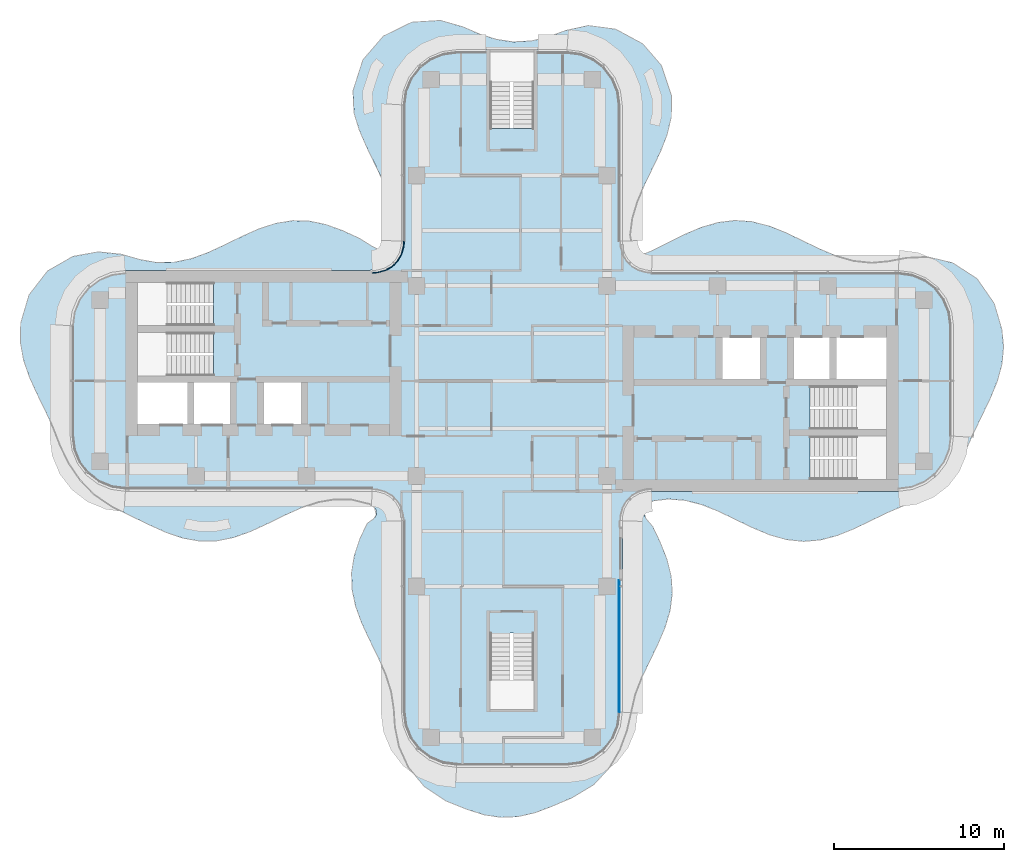
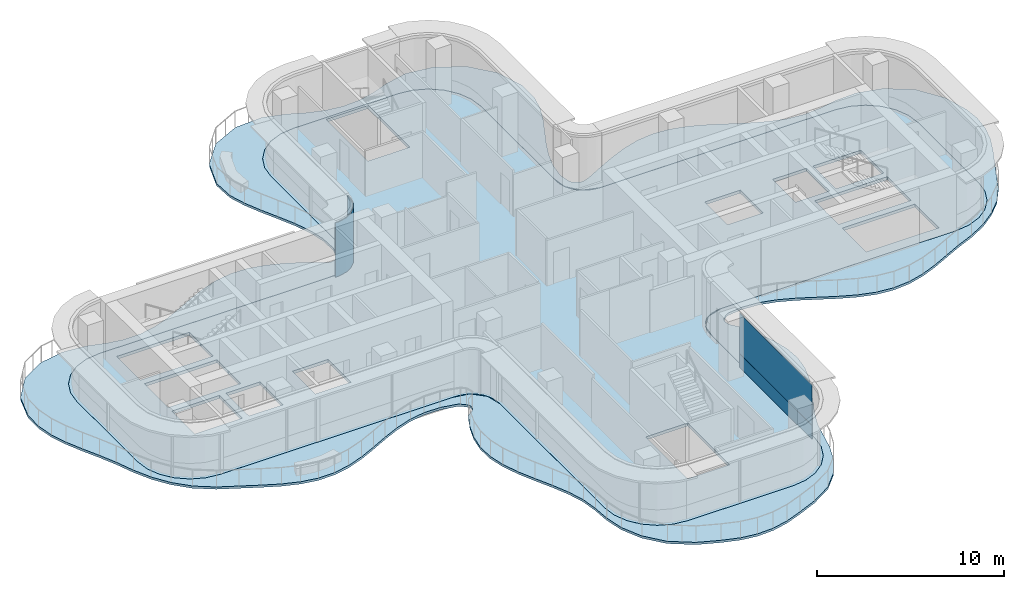
# One storey, part 9 of 16: 3 plates, 2 slabs, 2 elements without a shape of their own.
"""IFC4 building model written with IfcOpenShell, lengths in metres."""

from ifc_helpers import new_model, si_unit, direction, frame, origin, place, context, subcontext, project, spatial, polyline, outline, extrude, source, transform, mapped, material, layer, layer_set, type_object, element, aggregate, save


model = new_model("IFC4")

# Units and contexts
model_context = context("Model", 3, precision=1e-05, world=origin(), true_north=direction((0.0, 1.0)))
body_context = subcontext(model_context, "Body", "Model", "MODEL_VIEW")
ifc_project = project(units=[si_unit("LENGTHUNIT", "METRE"), si_unit("AREAUNIT", "SQUARE_METRE"), si_unit("VOLUMEUNIT", "CUBIC_METRE"), si_unit("PLANEANGLEUNIT", "RADIAN"), si_unit("MASSUNIT", "GRAM", prefix="KILO")], contexts=[model_context])

# Site, building, storey
site_placement = place(None, origin())
site = spatial("IfcSite", under=ifc_project, at=site_placement, CompositionType="ELEMENT")
building_placement = place(site_placement, origin())
building = spatial("IfcBuilding", under=site, at=building_placement, Name="Trellis Farm Tower", CompositionType="ELEMENT")
storey_placement = place(building_placement, frame((0.0, 0.0, 314.5)))
storey = spatial("IfcBuildingStorey", under=building, at=storey_placement, Name="L71", CompositionType="ELEMENT", Elevation=314.5)

# Slabs
ifc_material_1 = material(Name="Concrete C40/50", Category="concrete")
ifc_layer_1 = layer(ifc_material_1, 0.14990234375)
ifc_layer_set_1 = layer_set([ifc_layer_1], Name="Balcony slab 150")
slab_type_1 = type_object("IfcSlabType", Name="Balcony slab 150", PredefinedType="FLOOR", material=ifc_layer_set_1)
slab_1_placement = place(storey_placement, frame((0.0, 0.0, -0.14990234375)))
element("IfcSlab", 1, at=slab_1_placement, inside=storey, type_object=slab_type_1, Name="Balcony slab", PredefinedType="FLOOR", context=body_context, shape_type="SweptSolid", body=[
    extrude(outline(polyline([(-8.363525390625, -15.26708984375), (-8.826416015625, -14.27294921875), (-8.831298828125, -14.261474609375), (-9.193359375, -13.27587890625), (-9.199462890625, -13.25537109375), (-9.406982421875, -12.279296875), (-9.41015625, -12.251708984375), (-9.434814453125, -11.283203125), (-9.432861328125, -11.255126953125), (-9.2734375, -10.287841796875), (-9.26806640625, -10.265380859375), (-8.95458984375, -9.312255859375), (-8.94775390625, -9.295166015625), (-8.535888671875, -8.419189453125), (-8.51171875, -8.383056640625), (-8.4755859375, -8.3427734375), (-8.4423828125, -8.31494140625), (-8.16650390625, -8.14599609375), (-8.1484375, -8.130615234375), (-8.021728515625, -7.980224609375), (-8.009521484375, -7.959716796875), (-7.979248046875, -7.884033203125), (-7.97412109375, -7.861083984375), (-7.962646484375, -7.678955078125), (-7.97412109375, -7.635009765625), (-8.072998046875, -7.4814453125), (-8.088623046875, -7.464111328125), (-8.351318359375, -7.2509765625), (-8.366455078125, -7.241455078125), (-8.498779296875, -7.178466796875), (-8.51611328125, -7.1728515625), (-9.4375, -6.98583984375), (-9.451416015625, -6.984375), (-10.43359375, -6.97119140625), (-10.447265625, -6.97216796875), (-11.37158203125, -7.130126953125), (-11.382568359375, -7.1328125), (-12.412109375, -7.4755859375), (-12.419189453125, -7.478515625), (-13.38916015625, -7.913330078125), (-13.3916015625, -7.914306640625), (-14.392578125, -8.40673828125), (-14.396240234375, -8.408447265625), (-15.3896484375, -8.86474609375), (-15.402099609375, -8.869873046875), (-16.38671875, -9.219970703125), (-16.408203125, -9.2255859375), (-17.38330078125, -9.41748046875), (-17.4111328125, -9.420166015625), (-18.37939453125, -9.427978515625), (-18.406982421875, -9.425537109375), (-19.348876953125, -9.256591796875), (-19.37060546875, -9.251220703125), (-20.3544921875, -8.9169921875), (-20.367919921875, -8.91162109375), (-21.361083984375, -8.4638671875), (-21.36474609375, -8.4619140625), (-23.51220703125, -7.421630859375), (-23.53076171875, -7.410888671875), (-24.5703125, -6.709228515625), (-24.59423828125, -6.689208984375), (-25.425048828125, -5.82958984375), (-25.441162109375, -5.809814453125), (-26.07080078125, -4.884765625), (-26.08154296875, -4.8662109375), (-26.5830078125, -3.84228515625), (-26.588134765625, -3.830810546875), (-27.010009765625, -2.74462890625), (-27.01171875, -2.74072265625), (-27.462158203125, -1.751953125), (-27.463134765625, -1.75), (-27.95068359375, -0.75927734375), (-27.952880859375, -0.7548828125), (-28.396240234375, 0.222900390625), (-28.401611328125, 0.235595703125), (-28.73828125, 1.20947265625), (-28.743896484375, 1.2314453125), (-28.926025390625, 2.231201171875), (-28.928466796875, 2.260498046875), (-28.91064453125, 3.403076171875), (-28.904541015625, 3.44287109375), (-28.4482421875, 5.006103515625), (-28.437744140625, 5.0322265625), (-28.421142578125, 5.064697265625), (-28.406005859375, 5.08837890625), (-27.33203125, 6.472412109375), (-27.31201171875, 6.49365234375), (-27.28369140625, 6.518310546875), (-27.259033203125, 6.535400390625), (-25.876708984375, 7.317138671875), (-25.829833984375, 7.333984375), (-24.38427734375, 7.597412109375), (-24.341796875, 7.59912109375), (-23.0048828125, 7.4599609375), (-22.97900390625, 7.454833984375), (-21.91064453125, 7.14794921875), (-21.903076171875, 7.146240234375), (-20.931884765625, 6.97412109375), (-20.917724609375, 6.972900390625), (-19.871337890625, 6.989013671875), (-19.857421875, 6.990478515625), (-18.88134765625, 7.193115234375), (-18.87109375, 7.19580078125), (-17.921142578125, 7.538330078125), (-17.915283203125, 7.540771484375), (-16.91259765625, 8.002197265625), (-16.91064453125, 8.003173828125), (-15.9111328125, 8.49462890625), (-15.906005859375, 8.4970703125), (-14.9140625, 8.93896484375), (-14.89990234375, 8.9443359375), (-13.9169921875, 9.268798828125), (-13.894287109375, 9.2744140625), (-12.92041015625, 9.43359375), (-12.89208984375, 9.435546875), (-11.9248046875, 9.4091796875), (-11.897705078125, 9.406005859375), (-10.953369140625, 9.2060546875), (-10.93310546875, 9.2001953125), (-9.947509765625, 8.841064453125), (-9.935546875, 8.836181640625), (-8.95703125, 8.382080078125), (-8.9404296875, 8.373046875), (-8.19091796875, 7.90185546875), (-8.18359375, 7.89794921875), (-7.839599609375, 7.73046875), (-7.822509765625, 7.724609375), (-7.689453125, 7.69580078125), (-7.655029296875, 7.69677734375), (-7.523193359375, 7.7314453125), (-7.5068359375, 7.73779296875), (-7.31103515625, 7.843017578125), (-7.298095703125, 7.851806640625), (-7.20458984375, 7.930908203125), (-7.185791015625, 7.955322265625), (-7.1328125, 8.065673828125), (-7.12744140625, 8.080322265625), (-6.972900390625, 8.718994140625), (-6.97119140625, 8.72900390625), (-6.962646484375, 8.8125), (-6.96240234375, 8.822998046875), (-7.000244140625, 9.791015625), (-7.001953125, 9.80419921875), (-7.205810546875, 10.7333984375), (-7.208740234375, 10.743408203125), (-7.587890625, 11.7685546875), (-7.59033203125, 11.7744140625), (-8.050048828125, 12.757080078125), (-8.05078125, 12.758544921875), (-8.534912109375, 13.74462890625), (-8.53759765625, 13.75048828125), (-8.974365234375, 14.748291015625), (-8.980224609375, 14.763916015625), (-9.287841796875, 15.747802734375), (-9.29443359375, 15.7861328125), (-9.35107421875, 17.07470703125), (-9.349853515625, 17.101318359375), (-9.34521484375, 17.1357421875), (-9.33935546875, 17.161865234375), (-8.7958984375, 18.84423828125), (-8.78369140625, 18.87158203125), (-8.7646484375, 18.905517578125), (-8.747314453125, 18.93017578125), (-7.56298828125, 20.296142578125), (-7.54052734375, 20.317138671875), (-7.509033203125, 20.34130859375), (-7.48291015625, 20.357421875), (-5.915283203125, 21.1064453125), (-5.887939453125, 21.116455078125), (-5.8515625, 21.125732421875), (-5.82275390625, 21.130126953125), (-4.209228515625, 21.2216796875), (-4.15869140625, 21.216064453125), (-2.88916015625, 20.84619140625), (-2.87158203125, 20.839599609375), (-1.89501953125, 20.41650390625), (-1.8876953125, 20.413818359375), (-0.91064453125, 20.10693359375), (-0.899169921875, 20.104248046875), (0.077880859375, 19.961181640625), (0.09228515625, 19.960693359375), (1.138427734375, 20.012939453125), (1.152099609375, 20.014892578125), (2.12646484375, 20.246826171875), (2.135009765625, 20.24951171875), (3.147216796875, 20.62109375), (3.166259765625, 20.626708984375), (4.46728515625, 20.916259765625), (4.49365234375, 20.919677734375), (4.5283203125, 20.921142578125), (4.554931640625, 20.919921875), (6.1083984375, 20.706787109375), (6.13525390625, 20.70068359375), (6.169189453125, 20.689453125), (6.1943359375, 20.678466796875), (7.682373046875, 19.859619140625), (7.70458984375, 19.844482421875), (7.731689453125, 19.822509765625), (7.751220703125, 19.8037109375), (8.8037109375, 18.5751953125), (8.820556640625, 18.55126953125), (8.8388671875, 18.518798828125), (8.850830078125, 18.491455078125), (9.384521484375, 16.85009765625), (9.3916015625, 16.802978515625), (9.38720703125, 15.544921875), (9.383056640625, 15.510498046875), (9.143310546875, 14.509765625), (9.13720703125, 14.490234375), (8.7568359375, 13.51416015625), (8.752197265625, 13.50341796875), (7.802490234375, 11.53173828125), (7.801025390625, 11.528564453125), (7.3828125, 10.548095703125), (7.3798828125, 10.540283203125), (7.086181640625, 9.563720703125), (7.083740234375, 9.551513671875), (6.9599609375, 8.595703125), (6.959228515625, 8.58349609375), (6.962890625, 8.484130859375), (6.96435546875, 8.472412109375), (7.076416015625, 7.908203125), (7.081298828125, 7.892578125), (7.131591796875, 7.777099609375), (7.150390625, 7.75146484375), (7.244873046875, 7.66796875), (7.258056640625, 7.658447265625), (7.5224609375, 7.51123046875), (7.5380859375, 7.5048828125), (7.664306640625, 7.46826171875), (7.697509765625, 7.46630859375), (7.826904296875, 7.48876953125), (7.84326171875, 7.493408203125), (8.259765625, 7.6689453125), (8.264892578125, 7.67138671875), (9.17529296875, 8.138427734375), (9.177978515625, 8.139892578125), (10.171875, 8.62353515625), (10.17919921875, 8.626708984375), (11.14990234375, 9.0361328125), (11.166259765625, 9.041748046875), (12.13720703125, 9.32568359375), (12.161865234375, 9.330810546875), (13.128662109375, 9.4453125), (13.1572265625, 9.446044921875), (14.127197265625, 9.37451171875), (14.1533203125, 9.3701171875), (15.15283203125, 9.11328125), (15.17138671875, 9.107421875), (16.148681640625, 8.71630859375), (16.157958984375, 8.712158203125), (18.129638671875, 7.7607421875), (18.13330078125, 7.759033203125), (19.11328125, 7.349853515625), (19.12158203125, 7.346923828125), (20.097900390625, 7.067138671875), (20.110595703125, 7.064697265625), (21.155517578125, 6.9541015625), (21.169921875, 6.953857421875), (22.13916015625, 7.038818359375), (22.146484375, 7.039794921875), (23.224609375, 7.24365234375), (23.245849609375, 7.24609375), (24.48486328125, 7.300537109375), (24.52685546875, 7.29638671875), (25.94189453125, 6.952880859375), (25.98828125, 6.932861328125), (27.36181640625, 6.03955078125), (27.385009765625, 6.020751953125), (27.41162109375, 5.994384765625), (27.430419921875, 5.97216796875), (28.39306640625, 4.563232421875), (28.4130859375, 4.5205078125), (28.84326171875, 3.041015625), (28.848388671875, 3.013916015625), (28.947021484375, 2.023193359375), (28.947021484375, 1.994384765625), (28.853271484375, 0.99462890625), (28.848388671875, 0.968994140625), (28.582275390625, -0.001220703125), (28.576416015625, -0.018310546875), (28.175048828125, -0.996826171875), (28.17138671875, -1.0048828125), (27.2158203125, -2.99462890625), (27.215087890625, -2.99609375), (26.69140625, -4.14892578125), (26.679443359375, -4.17041015625), (26.003662109375, -5.178955078125), (25.985595703125, -5.20068359375), (25.193603515625, -6.001220703125), (25.177978515625, -6.014892578125), (24.279541015625, -6.700927734375), (24.260009765625, -6.71337890625), (23.22509765625, -7.2763671875), (23.21240234375, -7.28271484375), (22.118896484375, -7.748046875), (22.11572265625, -7.74951171875), (20.142333984375, -8.701904296875), (20.13330078125, -8.7060546875), (19.155517578125, -9.099609375), (19.1376953125, -9.105712890625), (18.16796875, -9.361083984375), (18.14208984375, -9.365478515625), (17.17529296875, -9.44677734375), (17.146728515625, -9.446533203125), (16.175537109375, -9.341064453125), (16.150390625, -9.336181640625), (15.17041015625, -9.056884765625), (15.153564453125, -9.051025390625), (14.155029296875, -8.63330078125), (14.147705078125, -8.630126953125), (12.15478515625, -7.669677734375), (12.14990234375, -7.66748046875), (11.192626953125, -7.287353515625), (11.18359375, -7.284423828125), (10.20751953125, -7.033203125), (10.194580078125, -7.031005859375), (9.21728515625, -6.95458984375), (9.202392578125, -6.954833984375), (8.3330078125, -7.05859375), (8.31103515625, -7.064697265625), (8.143310546875, -7.141357421875), (8.12451171875, -7.1533203125), (7.885498046875, -7.366455078125), (7.873046875, -7.380859375), (7.791259765625, -7.50341796875), (7.779052734375, -7.538330078125), (7.76708984375, -7.685302734375), (7.76806640625, -7.7041015625), (7.804931640625, -7.914306640625), (7.811279296875, -7.93359375), (7.8837890625, -8.085693359375), (7.89453125, -8.101806640625), (8.270263671875, -8.540283203125), (8.291748046875, -8.573486328125), (8.742431640625, -9.519287109375), (8.74658203125, -9.529052734375), (9.1298828125, -10.506103515625), (9.1357421875, -10.52490234375), (9.376708984375, -11.494140625), (9.380615234375, -11.520263671875), (9.445068359375, -12.487060546875), (9.4443359375, -12.515869140625), (9.322265625, -13.48779296875), (9.31689453125, -13.51220703125), (9.016845703125, -14.511474609375), (9.010986328125, -14.52734375), (8.591064453125, -15.5078125), (8.58837890625, -15.513671875), (7.639404296875, -17.484619140625), (7.636962890625, -17.490234375), (7.258544921875, -18.46728515625), (7.25537109375, -18.4775390625), (6.771728515625, -20.5927734375), (6.766357421875, -20.611328125), (6.37060546875, -21.6845703125), (6.35986328125, -21.70751953125), (5.74560546875, -22.775390625), (5.72509765625, -22.802978515625), (4.820556640625, -23.770751953125), (4.787841796875, -23.797119140625), (3.552001953125, -24.533447265625), (3.533935546875, -24.54248046875), (2.3779296875, -25.034912109375), (2.372314453125, -25.037109375), (1.3740234375, -25.415771484375), (1.354248046875, -25.421630859375), (0.377197265625, -25.64501953125), (0.350341796875, -25.6484375), (-0.618896484375, -25.690185546875), (-0.64697265625, -25.68896484375), (-1.5869140625, -25.5517578125), (-1.610107421875, -25.54638671875), (-2.609130859375, -25.233154296875), (-2.61962890625, -25.229248046875), (-3.86962890625, -24.730712890625), (-3.8974609375, -24.71630859375), (-5.150390625, -23.880615234375), (-5.18310546875, -23.851318359375), (-6.0908203125, -22.749755859375), (-6.11181640625, -22.716064453125), (-6.645751953125, -21.533935546875), (-6.656005859375, -21.501708984375), (-6.882568359375, -20.373291015625), (-6.885009765625, -20.35400390625), (-6.9580078125, -19.278564453125), (-6.95849609375, -19.272216796875), (-7.107666015625, -18.292236328125), (-7.1103515625, -18.28076171875), (-7.427001953125, -17.283447265625), (-7.429931640625, -17.276123046875), (-7.869384765625, -16.2744140625), (-7.87060546875, -16.271484375), (-8.3623046875, -15.27001953125), (-8.363525390625, -15.26708984375)]), holes=[polyline([(-7.391845703125, -6.72314453125), (-6.78564453125, -7.29248046875), (-6.7587890625, -7.326416015625), (-6.7314453125, -7.372802734375), (-6.71533203125, -7.4130859375), (-6.50927734375, -8.25927734375), (-6.5048828125, -8.294677734375), (-6.50048828125, -17.910400390625), (-6.50048828125, -19.5), (-6.389892578125, -20.34130859375), (-6.065185546875, -21.125244140625), (-5.548583984375, -21.798583984375), (-4.875244140625, -22.315185546875), (-4.09130859375, -22.639892578125), (-3.25, -22.75048828125), (3.25, -22.75048828125), (4.09130859375, -22.639892578125), (4.875244140625, -22.315185546875), (5.548583984375, -21.798583984375), (6.065185546875, -21.125244140625), (6.389892578125, -20.34130859375), (6.50048828125, -19.5), (6.50048828125, -14.7783203125), (6.50146484375, -8.531982421875), (6.502685546875, -8.51318359375), (6.6162109375, -7.62060546875), (6.627197265625, -7.580810546875), (6.6474609375, -7.532958984375), (6.6689453125, -7.49755859375), (7.19287109375, -6.849853515625), (7.2255859375, -6.81982421875), (7.270751953125, -6.789306640625), (7.31201171875, -6.769775390625), (8.18359375, -6.509521484375), (8.2265625, -6.50341796875), (19.6259765625, -6.50048828125), (22.75, -6.50048828125), (23.59130859375, -6.389892578125), (24.375244140625, -6.065185546875), (25.048583984375, -5.548583984375), (25.565185546875, -4.875244140625), (25.889892578125, -4.09130859375), (26.00048828125, -3.25), (26.00048828125, 3.25), (25.889892578125, 4.09130859375), (25.565185546875, 4.875244140625), (25.048583984375, 5.548583984375), (24.375244140625, 6.065185546875), (23.59130859375, 6.389892578125), (22.75, 6.50048828125), (19.626220703125, 6.50048828125), (8.2265625, 6.50341796875), (8.18359375, 6.509521484375), (7.31201171875, 6.769775390625), (7.270751953125, 6.789306640625), (7.2255859375, 6.81982421875), (7.19287109375, 6.849853515625), (6.6689453125, 7.49755859375), (6.6474609375, 7.532958984375), (6.627197265625, 7.580810546875), (6.6162109375, 7.620849609375), (6.501220703125, 8.535400390625), (6.50048828125, 8.544677734375), (6.50048828125, 16.25), (6.389892578125, 17.09130859375), (6.065185546875, 17.875244140625), (5.548583984375, 18.548583984375), (4.875244140625, 19.065185546875), (4.09130859375, 19.389892578125), (3.25, 19.50048828125), (-3.25, 19.50048828125), (-4.09130859375, 19.389892578125), (-4.875244140625, 19.065185546875), (-5.548583984375, 18.548583984375), (-6.065185546875, 17.875244140625), (-6.389892578125, 17.09130859375), (-6.50048828125, 16.25), (-6.50048828125, 8.7666015625), (-6.56005859375, 7.838134765625), (-6.56640625, 7.80419921875), (-6.5791015625, 7.76171875), (-6.593017578125, 7.72998046875), (-7.0166015625, 7.00244140625), (-7.045166015625, 6.967041015625), (-7.0869140625, 6.928955078125), (-7.124755859375, 6.90380859375), (-7.896484375, 6.545654296875), (-7.92578125, 6.53564453125), (-7.96435546875, 6.526611328125), (-7.994873046875, 6.522705078125), (-8.91552734375, 6.50048828125), (-22.75, 6.50048828125), (-23.59130859375, 6.389892578125), (-24.375244140625, 6.065185546875), (-25.048583984375, 5.548583984375), (-25.565185546875, 4.875244140625), (-25.889892578125, 4.09130859375), (-26.00048828125, 3.25), (-26.00048828125, -3.25), (-25.889892578125, -4.09130859375), (-25.565185546875, -4.875244140625), (-25.048583984375, -5.548583984375), (-24.375244140625, -6.065185546875), (-23.59130859375, -6.389892578125), (-22.75, -6.50048828125), (-8.43701171875, -6.50048828125), (-8.41796875, -6.502197265625), (-7.5166015625, -6.66064453125), (-7.47509765625, -6.67431640625), (-7.42724609375, -6.698486328125), (-7.391845703125, -6.72314453125)])]), origin(), (0.0, 0.0, 1.0), 0.14990234375),
])
ifc_layer_2 = layer(ifc_material_1, 0.199951171875)
ifc_layer_set_2 = layer_set([ifc_layer_2], Name="Composite deck floor slab 200")
slab_type_2 = type_object("IfcSlabType", Name="Composite deck floor slab 200", PredefinedType="FLOOR", material=ifc_layer_set_2)
shared_shape_1 = source(origin(), body_context, "Body", "SweptSolid", [
    extrude(outline(polyline([(-23.59130859375, -6.389404296875), (-24.375, -6.064697265625), (-25.048095703125, -5.548095703125), (-25.564697265625, -4.875), (-25.889404296875, -4.09130859375), (-26.0, -3.25), (-26.0, 3.25), (-25.889404296875, 4.09130859375), (-25.564697265625, 4.875), (-25.048095703125, 5.548095703125), (-24.375, 6.064697265625), (-23.59130859375, 6.389404296875), (-22.75, 6.5), (-8.2314453125, 6.5), (-8.01953125, 6.513916015625), (-7.91552734375, 6.527587890625), (-7.508544921875, 6.63671875), (-7.144287109375, 6.846923828125), (-6.846923828125, 7.144287109375), (-6.63671875, 7.508544921875), (-6.527587890625, 7.91552734375), (-6.513916015625, 8.01953125), (-6.5, 8.2314453125), (-6.5, 16.25), (-6.389404296875, 17.09130859375), (-6.064697265625, 17.875), (-5.548095703125, 18.548095703125), (-4.875, 19.064697265625), (-4.09130859375, 19.389404296875), (-3.25, 19.5), (3.25, 19.5), (4.09130859375, 19.389404296875), (4.875, 19.064697265625), (5.548095703125, 18.548095703125), (6.064697265625, 17.875), (6.389404296875, 17.09130859375), (6.5, 16.25), (6.5, 8.2314453125), (6.513916015625, 8.01953125), (6.527587890625, 7.91552734375), (6.63671875, 7.508544921875), (6.846923828125, 7.144287109375), (7.144287109375, 6.846923828125), (7.508544921875, 6.63671875), (7.91552734375, 6.527587890625), (8.01953125, 6.513916015625), (8.2314453125, 6.5), (22.75, 6.5), (23.59130859375, 6.389404296875), (24.375, 6.064697265625), (25.048095703125, 5.548095703125), (25.564697265625, 4.875), (25.889404296875, 4.09130859375), (26.0, 3.25), (26.0, -3.25), (25.889404296875, -4.09130859375), (25.564697265625, -4.875), (25.048095703125, -5.548095703125), (24.375, -6.064697265625), (23.59130859375, -6.389404296875), (22.75, -6.5), (8.2314453125, -6.5), (8.01953125, -6.513916015625), (7.91552734375, -6.527587890625), (7.508544921875, -6.63671875), (7.144287109375, -6.846923828125), (6.846923828125, -7.144287109375), (6.63671875, -7.508544921875), (6.527587890625, -7.91552734375), (6.513916015625, -8.01953125), (6.5, -8.2314453125), (6.5, -19.5), (6.389404296875, -20.34130859375), (6.064697265625, -21.125), (5.548095703125, -21.798095703125), (4.875, -22.314697265625), (4.09130859375, -22.639404296875), (3.25, -22.75), (-3.25, -22.75), (-4.09130859375, -22.639404296875), (-4.875, -22.314697265625), (-5.548095703125, -21.798095703125), (-6.064697265625, -21.125), (-6.389404296875, -20.34130859375), (-6.5, -19.5), (-6.5, -8.2314453125), (-6.513916015625, -8.01953125), (-6.527587890625, -7.91552734375), (-6.63671875, -7.508544921875), (-6.846923828125, -7.144287109375), (-7.144287109375, -6.846923828125), (-7.508544921875, -6.63671875), (-7.91552734375, -6.527587890625), (-8.01953125, -6.513916015625), (-8.2314453125, -6.5), (-22.75, -6.5), (-23.59130859375, -6.389404296875)]), holes=[polyline([(-22.050048828125, -2.550048828125), (-19.10009765625, -2.550048828125), (-19.10009765625, -0.10009765625), (-22.050048828125, -0.10009765625), (-22.050048828125, -2.550048828125)]), polyline([(-18.699951171875, -0.10009765625), (-18.699951171875, -2.550048828125), (-16.60009765625, -2.550048828125), (-16.60009765625, -0.10009765625), (-18.699951171875, -0.10009765625)]), polyline([(-14.60009765625, -0.10009765625), (-14.60009765625, -2.550048828125), (-12.39990234375, -2.550048828125), (-12.39990234375, -0.10009765625), (-14.60009765625, -0.10009765625)]), polyline([(-17.56201171875, 2.85009765625), (-22.050048828125, 2.85009765625), (-22.050048828125, 0.300048828125), (-17.56005859375, 0.300048828125), (-17.56005859375, 1.5), (-17.550048828125, 1.5), (-17.550048828125, 1.64990234375), (-17.56201171875, 1.64990234375), (-17.56201171875, 2.85009765625)]), polyline([(-17.56201171875, 4.60009765625), (-17.56201171875, 5.800048828125), (-22.050048828125, 5.800048828125), (-22.050048828125, 3.25), (-17.56005859375, 3.25), (-17.56005859375, 4.449951171875), (-17.550048828125, 4.449951171875), (-17.550048828125, 4.60009765625), (-17.56201171875, 4.60009765625)]), polyline([(0.10009765625, 14.862060546875), (1.300048828125, 14.862060546875), (1.300048828125, 19.35009765625), (-1.300048828125, 19.35009765625), (-1.300048828125, 14.860107421875), (-0.10009765625, 14.860107421875), (-0.10009765625, 14.85009765625), (0.10009765625, 14.85009765625), (0.10009765625, 14.862060546875)]), polyline([(-1.300048828125, -14.862060546875), (-1.300048828125, -19.35009765625), (1.300048828125, -19.35009765625), (1.300048828125, -14.860107421875), (0.10009765625, -14.860107421875), (0.10009765625, -14.85009765625), (-0.10009765625, -14.85009765625), (-0.10009765625, -14.862060546875), (-1.300048828125, -14.862060546875)]), polyline([(17.56201171875, -4.60009765625), (17.56201171875, -5.800048828125), (22.050048828125, -5.800048828125), (22.050048828125, -3.25), (17.56005859375, -3.25), (17.56005859375, -4.449951171875), (17.550048828125, -4.449951171875), (17.550048828125, -4.60009765625), (17.56201171875, -4.60009765625)]), polyline([(17.56201171875, -1.64990234375), (17.56201171875, -2.85009765625), (22.050048828125, -2.85009765625), (22.050048828125, -0.300048828125), (17.56005859375, -0.300048828125), (17.56005859375, -1.5), (17.550048828125, -1.5), (17.550048828125, -1.64990234375), (17.56201171875, -1.64990234375)]), polyline([(14.60009765625, 2.550048828125), (12.39990234375, 2.550048828125), (12.39990234375, 0.10009765625), (14.60009765625, 0.10009765625), (14.60009765625, 2.550048828125)]), polyline([(18.699951171875, 0.10009765625), (18.699951171875, 2.550048828125), (16.60009765625, 2.550048828125), (16.60009765625, 0.10009765625), (18.699951171875, 0.10009765625)]), polyline([(22.050048828125, 0.10009765625), (22.050048828125, 2.550048828125), (19.10009765625, 2.550048828125), (19.10009765625, 0.10009765625), (22.050048828125, 0.10009765625)])]), origin(), (0.0, 0.0, 1.0), 0.199951171875),
])
slab_2_placement = place(storey_placement, frame((0.0, 0.0, -0.199951171875)))
element("IfcSlab", 2, at=slab_2_placement, inside=storey, type_object=slab_type_2, Name="Floor slab", PredefinedType="FLOOR", context=body_context, shape_type="MappedRepresentation", body=[
    mapped(shared_shape_1, transform((0.0, 0.0, 0.0))),
])

# Curtain wall, plate
ifc_material_2 = material(Name="Aluminium and glass curtain wall", Category="aluminium")
ifc_layer_3 = layer(ifc_material_2, 0.166015625)
ifc_layer_set_3 = layer_set([ifc_layer_3], Name="WINTER GARDEN CURTAIN WALL CW3")
curtain_wall_type_1 = type_object("IfcCurtainWallType", Name="WINTER GARDEN CURTAIN WALL CW3", PredefinedType="NOTDEFINED", material=ifc_layer_set_3)
placement = place(storey_placement, origin())
curtain_wall_1 = element("IfcCurtainWall", 3, at=placement, inside=storey, type_object=curtain_wall_type_1, Name="CW3 004", PredefinedType="NOTDEFINED")
ifc_material_3 = material(Name="Clear insulated glass", Category="glass")
ifc_layer_4 = layer(ifc_material_3, 0.0458984375)
ifc_layer_set_4 = layer_set([ifc_layer_4], Name="CW3 GLASS PANEL 46")
plate_type_1 = type_object("IfcPlateType", Name="CW3 GLASS PANEL 46", PredefinedType="CURTAIN_PANEL", material=ifc_layer_set_4)
shared_shape_2 = source(origin(), body_context, "Body", "SweptSolid", [
    extrude(outline(polyline([(-6.3798828125, 8.2275390625), (-6.394287109375, 8.0078125), (-6.40966796875, 7.89208984375), (-6.52490234375, 7.462158203125), (-6.7509765625, 7.070556640625), (-7.070556640625, 6.7509765625), (-7.462158203125, 6.52490234375), (-7.89208984375, 6.40966796875), (-8.0078125, 6.394287109375), (-8.2275390625, 6.3798828125), (-8.22607421875, 6.333984375), (-8.003173828125, 6.3486328125), (-7.883056640625, 6.364501953125), (-7.4443359375, 6.48193359375), (-7.04248046875, 6.714111328125), (-6.714111328125, 7.04248046875), (-6.48193359375, 7.4443359375), (-6.364501953125, 7.883056640625), (-6.3486328125, 8.003173828125), (-6.333984375, 8.22607421875), (-6.3798828125, 8.2275390625)])), origin(), (0.0, 0.0, 1.0), 3.550048828125),
])
plate_1 = element("IfcPlate", 4, at=placement, type_object=plate_type_1, Name="PL3 004", PredefinedType="CURTAIN_PANEL", context=body_context, shape_type="MappedRepresentation", body=[
    mapped(shared_shape_2, transform((0.0, 0.0, 0.0))),
])
aggregate(curtain_wall_1, [plate_1])

# Curtain wall, plates
ifc_layer_5 = layer(ifc_material_2, 0.18994140625)
ifc_layer_set_5 = layer_set([ifc_layer_5], Name="RIBBON CURTAIN WALL CW1")
curtain_wall_type_2 = type_object("IfcCurtainWallType", Name="RIBBON CURTAIN WALL CW1", PredefinedType="NOTDEFINED", material=ifc_layer_set_5)
curtain_wall_2 = element("IfcCurtainWall", 5, at=placement, inside=storey, type_object=curtain_wall_type_2, Name="CW1 004", PredefinedType="NOTDEFINED")
ifc_layer_6 = layer(ifc_material_3, 0.0400390625)
ifc_layer_set_6 = layer_set([ifc_layer_6], Name="CW1 GLASS PANEL 40")
plate_type_2 = type_object("IfcPlateType", Name="CW1 GLASS PANEL 40", PredefinedType="CURTAIN_PANEL", material=ifc_layer_set_6)
shared_shape_3 = source(origin(), body_context, "Body", "SweptSolid", [
    extrude(outline(polyline([(6.35009765625, -19.490234375), (6.35009765625, -11.7255859375), (6.31005859375, -11.7255859375), (6.31005859375, -19.487548828125), (6.35009765625, -19.490234375)])), origin(), (0.0, 0.0, 1.0), 2.6201171875),
])
plate_2_placement = place(storey_placement, frame((0.0, 0.0, 0.89990234375)))
plate_2 = element("IfcPlate", 6, at=plate_2_placement, type_object=plate_type_2, Name="PL1 004", PredefinedType="CURTAIN_PANEL", context=body_context, shape_type="MappedRepresentation", body=[
    mapped(shared_shape_3, transform((0.0, 0.0, 0.0))),
])
ifc_material_4 = material(Name="Sandstone faced insulated panel", Category="masonry")
ifc_layer_7 = layer(ifc_material_4, 0.050048828125)
ifc_layer_set_7 = layer_set([ifc_layer_7], Name="CW1 STONE SPANDREL PANEL 50")
plate_type_3 = type_object("IfcPlateType", Name="CW1 STONE SPANDREL PANEL 50", PredefinedType="CURTAIN_PANEL", material=ifc_layer_set_7)
shared_shape_4 = source(origin(), body_context, "Body", "SweptSolid", [
    extrude(outline(polyline([(6.35009765625, -19.490234375), (6.35009765625, -11.7255859375), (6.300048828125, -11.7255859375), (6.300048828125, -19.48681640625), (6.35009765625, -19.490234375)])), origin(), (0.0, 0.0, 1.0), 0.89990234375),
])
plate_3 = element("IfcPlate", 7, at=placement, type_object=plate_type_3, Name="PS1 004", PredefinedType="CURTAIN_PANEL", context=body_context, shape_type="MappedRepresentation", body=[
    mapped(shared_shape_4, transform((0.0, 0.0, 0.0))),
])
aggregate(curtain_wall_2, [plate_2, plate_3])

save(model, "model.ifc")
